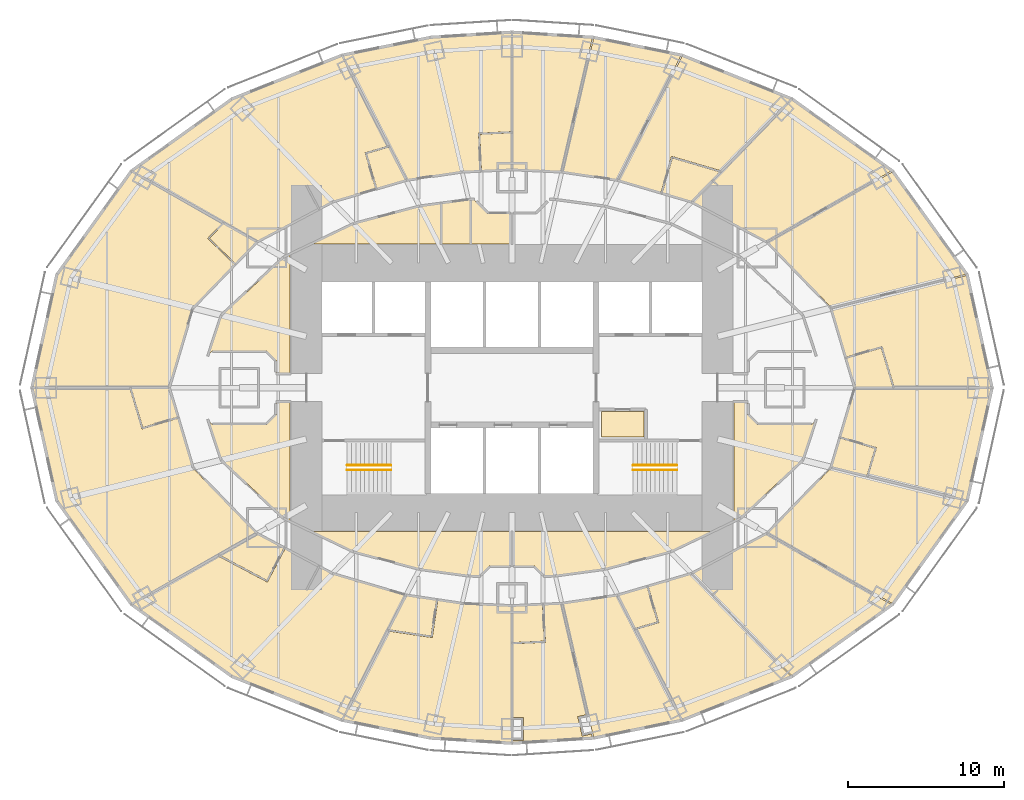
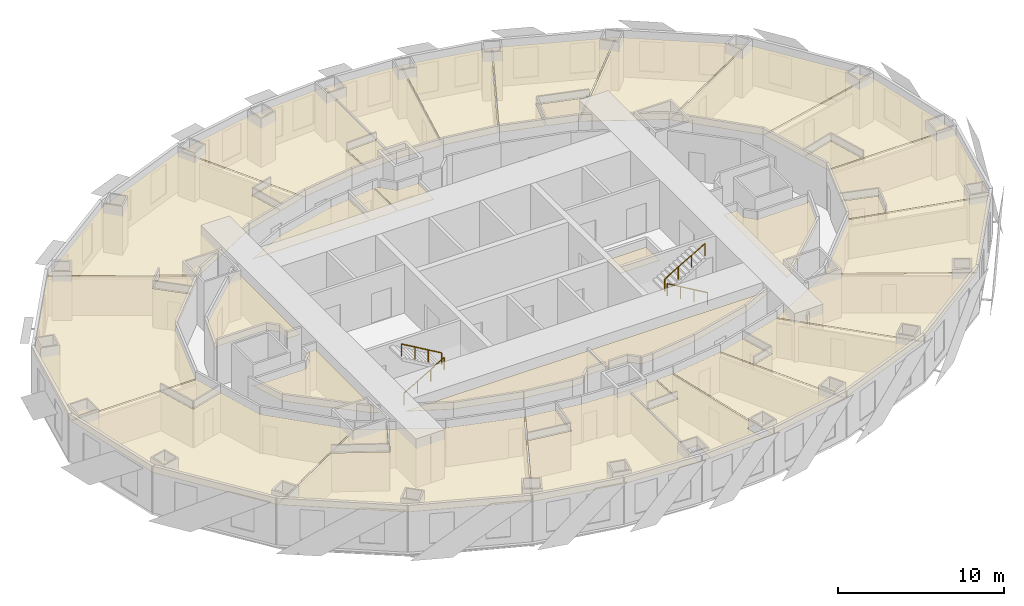
# One storey, part 15 of 15: 38 coverings, 4 railings.
"""IFC4 building model written with IfcOpenShell, lengths in metres."""

from ifc_helpers import new_model, si_unit, direction, frame, origin, origin_2d, place, context, subcontext, project, spatial, polyline, circle, outline, extrude, material, layer, layer_set, type_object, element, save


model = new_model("IFC4")

# Units and contexts
model_context = context("Model", 3, precision=1e-05, world=origin(), true_north=direction((0.0, 1.0)))
body_context = subcontext(model_context, "Body", "Model", "MODEL_VIEW")
ifc_project = project(units=[si_unit("LENGTHUNIT", "METRE"), si_unit("AREAUNIT", "SQUARE_METRE"), si_unit("VOLUMEUNIT", "CUBIC_METRE"), si_unit("PLANEANGLEUNIT", "RADIAN"), si_unit("MASSUNIT", "GRAM", prefix="KILO")], contexts=[model_context])

# Site, building, storey
site_placement = place(None, origin())
site = spatial("IfcSite", under=ifc_project, at=site_placement, CompositionType="ELEMENT")
building_placement = place(site_placement, origin())
building = spatial("IfcBuilding", under=site, at=building_placement, Name="Lantaw Convention Tower", CompositionType="ELEMENT")
storey_placement = place(building_placement, frame((0.0, 0.0, 80.199951171875)))
storey = spatial("IfcBuildingStorey", under=building, at=storey_placement, Name="L18", CompositionType="ELEMENT", Elevation=80.199951171875)

# Railings
ifc_material_1 = material(Name="Stainless steel", Category="steel")
railing_type = type_object("IfcRailingType", Name="Stair handrail", PredefinedType="HANDRAIL", material=ifc_material_1)
railing_1_placement = place(storey_placement, frame((-10.580078125, -5.280029296875, 0.16357421875)))
element("IfcRailing", 1, at=railing_1_placement, inside=storey, type_object=railing_type, Name="Stair handrail S1", PredefinedType="HANDRAIL", context=body_context, shape_type="SweptSolid", body=[
    extrude(circle(Radius=0.02392578125, at=origin_2d()), frame((0.0, 0.0, 0.8759765625), z_axis=(0.863360870873, 0.0, 0.504586966384), x_axis=(0.0, 1.0, 0.0)), (0.0, 0.0, 1.0), 3.2431640625),
    extrude(circle(Radius=0.02099609375, at=origin_2d()), origin(), (0.0, 0.0, 1.0), 0.851806640625),
    extrude(circle(Radius=0.02099609375, at=origin_2d()), frame((0.933349609375, 0.0, 0.54541015625)), (0.0, 0.0, 1.0), 0.851806640625),
    extrude(circle(Radius=0.02099609375, at=origin_2d()), frame((1.86669921875, 0.0, 1.091064453125)), (0.0, 0.0, 1.0), 0.851806640625),
    extrude(circle(Radius=0.02099609375, at=origin_2d()), frame((2.800048828125, 0.0, 1.636474609375)), (0.0, 0.0, 1.0), 0.851806640625),
])
for number, where, name in (
    (2, (-7.780029296875, -4.97998046875, 1.963623046875), "Stair handrail S1"),
    (3, (10.580078125, -5.280029296875, 0.16357421875), "Stair handrail S2"),
):
    element("IfcRailing", number, at=place(storey_placement, frame(where)), inside=storey, type_object=railing_type, Name=name, PredefinedType="HANDRAIL", context=body_context, shape_type="SweptSolid", body=[
        extrude(circle(Radius=0.02392578125, at=origin_2d()), frame((0.0, 0.0, 0.8759765625), z_axis=(-0.863360870873, 0.0, 0.504586966384), x_axis=(0.0, -1.0, 0.0)), (0.0, 0.0, 1.0), 3.2431640625),
        extrude(circle(Radius=0.02099609375, at=origin_2d()), origin(), (0.0, 0.0, 1.0), 0.851806640625),
        extrude(circle(Radius=0.02099609375, at=origin_2d()), frame((-0.933349609375, 0.0, 0.54541015625)), (0.0, 0.0, 1.0), 0.851806640625),
        extrude(circle(Radius=0.02099609375, at=origin_2d()), frame((-1.86669921875, 0.0, 1.091064453125)), (0.0, 0.0, 1.0), 0.851806640625),
        extrude(circle(Radius=0.02099609375, at=origin_2d()), frame((-2.800048828125, 0.0, 1.636474609375)), (0.0, 0.0, 1.0), 0.851806640625),
    ])
railing_2_placement = place(storey_placement, frame((7.780029296875, -4.97998046875, 1.963623046875)))
element("IfcRailing", 4, at=railing_2_placement, inside=storey, type_object=railing_type, Name="Stair handrail S2", PredefinedType="HANDRAIL", context=body_context, shape_type="SweptSolid", body=[
    extrude(circle(Radius=0.02392578125, at=origin_2d()), frame((0.0, 0.0, 0.8759765625), z_axis=(0.863360870873, 0.0, 0.504586966384), x_axis=(0.0, 1.0, 0.0)), (0.0, 0.0, 1.0), 3.2431640625),
    extrude(circle(Radius=0.02099609375, at=origin_2d()), origin(), (0.0, 0.0, 1.0), 0.851806640625),
    extrude(circle(Radius=0.02099609375, at=origin_2d()), frame((0.933349609375, 0.0, 0.54541015625)), (0.0, 0.0, 1.0), 0.851806640625),
    extrude(circle(Radius=0.02099609375, at=origin_2d()), frame((1.86669921875, 0.0, 1.091064453125)), (0.0, 0.0, 1.0), 0.851806640625),
    extrude(circle(Radius=0.02099609375, at=origin_2d()), frame((2.800048828125, 0.0, 1.636474609375)), (0.0, 0.0, 1.0), 0.851806640625),
])

# Coverings
ifc_material_2 = material(Name="Gypsum board on steel suspension grid", Category="steel")
ifc_layer = layer(ifc_material_2, 0.02001953125)
ifc_layer_set = layer_set([ifc_layer], Name="Suspended ceiling")
covering_type = type_object("IfcCoveringType", Name="Suspended ceiling", PredefinedType="CEILING", material=ifc_layer_set)
covering_1_placement = place(storey_placement, frame((0.0, 0.0, 2.85009765625)))
element("IfcCovering", 5, at=covering_1_placement, inside=storey, type_object=covering_type, Name="Staff WC ceiling", PredefinedType="CEILING", context=body_context, shape_type="SweptSolid", body=[
    extrude(outline(polyline([(5.739990234375, -3.159912109375), (8.4599609375, -3.159912109375), (8.4599609375, -1.5400390625), (5.739990234375, -1.5400390625), (5.739990234375, -3.159912109375)])), origin(), (0.0, 0.0, 1.0), 0.02001953125),
])
covering_2_placement = place(storey_placement, frame((0.0, 0.0, 2.85009765625)))
element("IfcCovering", 6, at=covering_2_placement, inside=storey, type_object=covering_type, Name="Housekeeping room ceiling", PredefinedType="CEILING", context=body_context, shape_type="SweptSolid", body=[
    extrude(outline(polyline([(-14.239990234375, 8.5478515625), (-14.650390625, 8.351318359375), (-18.63671875, 4.633056640625), (-19.449951171875, 2.15625), (-19.2412109375, 2.364990234375), (-15.7587890625, 2.364990234375), (-15.135009765625, 1.7412109375), (-15.135009765625, 0.93994140625), (-14.239990234375, 0.93994140625), (-14.239990234375, 8.5478515625)])), origin(), (0.0, 0.0, 1.0), 0.02001953125),
])
covering_3_placement = place(storey_placement, frame((0.0, 0.0, 2.85009765625)))
element("IfcCovering", 7, at=covering_3_placement, inside=storey, type_object=covering_type, Name="Accessible WC ceiling", PredefinedType="CEILING", context=body_context, shape_type="SweptSolid", body=[
    extrude(outline(polyline([(-2.610107421875, 9.239990234375), (-0.114990234375, 9.239990234375), (-0.114990234375, 11.175048828125), (-1.548828125, 11.175048828125), (-2.324951171875, 11.951171875), (-2.324951171875, 11.963134765625), (-2.4208984375, 12.05859375), (-2.610107421875, 12.050537109375), (-2.610107421875, 9.239990234375)])), origin(), (0.0, 0.0, 1.0), 0.02001953125),
])
covering_4_placement = place(storey_placement, frame((0.0, 0.0, 2.85009765625)))
element("IfcCovering", 8, at=covering_4_placement, inside=storey, type_object=covering_type, Name="Staff WC ceiling", PredefinedType="CEILING", context=body_context, shape_type="SweptSolid", body=[
    extrude(outline(polyline([(-2.68994140625, 12.04736328125), (-2.7861328125, 12.043212890625), (-4.510009765625, 11.81201171875), (-4.510009765625, 9.239990234375), (-2.68994140625, 9.239990234375), (-2.68994140625, 12.04736328125)])), origin(), (0.0, 0.0, 1.0), 0.02001953125),
])
covering_5_placement = place(storey_placement, frame((0.0, 0.0, 2.85009765625)))
element("IfcCovering", 9, at=covering_5_placement, inside=storey, type_object=covering_type, Name="Housekeeping room ceiling", PredefinedType="CEILING", context=body_context, shape_type="SweptSolid", body=[
    extrude(outline(polyline([(-12.795166015625, 9.239990234375), (-4.60009765625, 9.239990234375), (-4.60009765625, 11.7998046875), (-5.933349609375, 11.62109375), (-10.1630859375, 10.500732421875), (-12.795166015625, 9.239990234375)])), origin(), (0.0, 0.0, 1.0), 0.02001953125),
])
covering_6_placement = place(storey_placement, frame((0.0, 0.0, 2.85009765625)))
element("IfcCovering", 10, at=covering_6_placement, inside=storey, type_object=covering_type, Name="Staff room ceiling", PredefinedType="CEILING", context=body_context, shape_type="SweptSolid", body=[
    extrude(outline(polyline([(-14.239990234375, -0.93994140625), (-15.135009765625, -0.93994140625), (-15.135009765625, -1.7412109375), (-15.7587890625, -2.364990234375), (-19.2412109375, -2.364990234375), (-19.449951171875, -2.15625), (-18.63671875, -4.633056640625), (-14.650390625, -8.351318359375), (-14.239990234375, -8.5478515625), (-14.239990234375, -0.93994140625)])), origin(), (0.0, 0.0, 1.0), 0.02001953125),
])
covering_7_placement = place(storey_placement, frame((0.0, 0.0, 2.85009765625)))
element("IfcCovering", 11, at=covering_7_placement, inside=storey, type_object=covering_type, Name="Staff room ceiling", PredefinedType="CEILING", context=body_context, shape_type="SweptSolid", body=[
    extrude(outline(polyline([(-5.933349609375, -11.62109375), (-2.7861328125, -12.043212890625), (-2.06494140625, -12.073486328125), (-2.06494140625, -12.058837890625), (-1.441162109375, -11.43505859375), (-0.0400390625, -11.43505859375), (-0.0400390625, -9.239990234375), (-12.795166015625, -9.239990234375), (-10.1630859375, -10.500732421875), (-5.933349609375, -11.62109375)])), origin(), (0.0, 0.0, 1.0), 0.02001953125),
])
covering_8_placement = place(storey_placement, frame((0.0, 0.0, 2.85009765625)))
element("IfcCovering", 12, at=covering_8_placement, inside=storey, type_object=covering_type, Name="Room service pantry ceiling", PredefinedType="CEILING", context=body_context, shape_type="SweptSolid", body=[
    extrude(outline(polyline([(14.239990234375, -8.5478515625), (14.650390625, -8.351318359375), (18.63671875, -4.633056640625), (19.449951171875, -2.15625), (19.2412109375, -2.364990234375), (15.7587890625, -2.364990234375), (15.135009765625, -1.7412109375), (15.135009765625, -0.93994140625), (14.239990234375, -0.93994140625), (14.239990234375, -8.5478515625)])), origin(), (0.0, 0.0, 1.0), 0.02001953125),
])
covering_9_placement = place(storey_placement, frame((0.0, 0.0, 2.85009765625)))
element("IfcCovering", 13, at=covering_9_placement, inside=storey, type_object=covering_type, Name="Room service pantry ceiling", PredefinedType="CEILING", context=body_context, shape_type="SweptSolid", body=[
    extrude(outline(polyline([(2.06494140625, -12.073486328125), (2.7861328125, -12.043212890625), (5.933349609375, -11.62109375), (10.1630859375, -10.500732421875), (12.795166015625, -9.239990234375), (0.0400390625, -9.239990234375), (0.0400390625, -11.43505859375), (1.441162109375, -11.43505859375), (2.06494140625, -12.058837890625), (2.06494140625, -12.073486328125)])), origin(), (0.0, 0.0, 1.0), 0.02001953125),
])
covering_10_placement = place(storey_placement, frame((0.0, 0.0, 2.85009765625)))
element("IfcCovering", 14, at=covering_10_placement, inside=storey, type_object=covering_type, Name="Suite bathroom ceiling", PredefinedType="CEILING", context=body_context, shape_type="SweptSolid", body=[
    extrude(outline(polyline([(22.02978515625, 0.0400390625), (24.449951171875, 0.0400390625), (23.70458984375, 2.550537109375), (21.48046875, 1.890380859375), (22.02978515625, 0.0400390625)])), origin(), (0.0, 0.0, 1.0), 0.02001953125),
])
covering_11_placement = place(storey_placement, frame((0.0, 0.0, 2.85009765625)))
element("IfcCovering", 15, at=covering_11_placement, inside=storey, type_object=covering_type, Name="Suite bedroom ceiling", PredefinedType="CEILING", context=body_context, shape_type="SweptSolid", body=[
    extrude(outline(polyline([(20.5341796875, 5.078369140625), (21.457763671875, 1.967041015625), (23.758544921875, 2.650146484375), (24.533447265625, 0.0400390625), (30.77099609375, 0.0400390625), (29.191650390625, 7.205078125), (20.5341796875, 5.078369140625)])), origin(), (0.0, 0.0, 1.0), 0.02001953125),
])
covering_12_placement = place(storey_placement, frame((0.0, 0.0, 2.85009765625)))
element("IfcCovering", 16, at=covering_12_placement, inside=storey, type_object=covering_type, Name="Suite living room ceiling", PredefinedType="CEILING", context=body_context, shape_type="SweptSolid", body=[
    extrude(outline(polyline([(20.49658203125, 5.151611328125), (29.155029296875, 7.2783203125), (24.423095703125, 13.8564453125), (16.433837890625, 9.344482421875), (20.49658203125, 5.151611328125)])), origin(), (0.0, 0.0, 1.0), 0.02001953125),
])
covering_13_placement = place(storey_placement, frame((0.0, 0.0, 2.85009765625)))
element("IfcCovering", 17, at=covering_13_placement, inside=storey, type_object=covering_type, Name="Suite kitchenette and dining room ceiling", PredefinedType="CEILING", context=body_context, shape_type="SweptSolid", body=[
    extrude(outline(polyline([(16.368408203125, 9.3994140625), (24.3603515625, 13.912841796875), (17.97509765625, 18.4892578125), (11.58447265625, 11.93798828125), (16.368408203125, 9.3994140625)])), origin(), (0.0, 0.0, 1.0), 0.02001953125),
])
covering_14_placement = place(storey_placement, frame((0.0, 0.0, 2.85009765625)))
element("IfcCovering", 18, at=covering_14_placement, inside=storey, type_object=covering_type, Name="Suite bathroom ceiling", PredefinedType="CEILING", context=body_context, shape_type="SweptSolid", body=[
    extrude(outline(polyline([(11.506591796875, 11.972900390625), (13.32568359375, 13.856689453125), (10.302734375, 14.744384765625), (9.649169921875, 12.518310546875), (11.506591796875, 11.972900390625)])), origin(), (0.0, 0.0, 1.0), 0.02001953125),
])
covering_15_placement = place(storey_placement, frame((0.0, 0.0, 2.85009765625)))
element("IfcCovering", 19, at=covering_15_placement, inside=storey, type_object=covering_type, Name="Suite bedroom ceiling", PredefinedType="CEILING", context=body_context, shape_type="SweptSolid", body=[
    extrude(outline(polyline([(10.930908203125, 21.294921875), (6.84326171875, 13.34228515625), (9.560791015625, 12.544189453125), (10.240478515625, 14.858642578125), (13.412841796875, 13.927001953125), (17.89990234375, 18.526611328125), (10.930908203125, 21.294921875)])), origin(), (0.0, 0.0, 1.0), 0.02001953125),
])
covering_16_placement = place(storey_placement, frame((0.0, 0.0, 2.85009765625)))
element("IfcCovering", 20, at=covering_16_placement, inside=storey, type_object=covering_type, Name="Suite living room ceiling", PredefinedType="CEILING", context=body_context, shape_type="SweptSolid", body=[
    extrude(outline(polyline([(6.76318359375, 13.361328125), (10.852294921875, 21.31689453125), (5.240966796875, 22.448974609375), (3.24658203125, 13.884521484375), (6.76318359375, 13.361328125)])), origin(), (0.0, 0.0, 1.0), 0.02001953125),
])
covering_17_placement = place(storey_placement, frame((0.0, 0.0, 2.85009765625)))
element("IfcCovering", 21, at=covering_17_placement, inside=storey, type_object=covering_type, Name="Suite kitchenette and dining room ceiling", PredefinedType="CEILING", context=body_context, shape_type="SweptSolid", body=[
    extrude(outline(polyline([(3.16650390625, 13.892822265625), (5.1611328125, 22.458984375), (0.0400390625, 22.781982421875), (0.0400390625, 14.0380859375), (3.16650390625, 13.892822265625)])), origin(), (0.0, 0.0, 1.0), 0.02001953125),
])
covering_18_placement = place(storey_placement, frame((0.0, 0.0, 2.85009765625)))
element("IfcCovering", 22, at=covering_18_placement, inside=storey, type_object=covering_type, Name="Junior suite bathroom ceiling", PredefinedType="CEILING", context=body_context, shape_type="SweptSolid", body=[
    extrude(outline(polyline([(-0.0400390625, 14.0380859375), (-0.0400390625, 16.360595703125), (-2.0673828125, 16.266357421875), (-1.959716796875, 13.948974609375), (-0.0400390625, 14.0380859375)])), origin(), (0.0, 0.0, 1.0), 0.02001953125),
])
covering_19_placement = place(storey_placement, frame((0.0, 0.0, 2.85009765625)))
element("IfcCovering", 23, at=covering_19_placement, inside=storey, type_object=covering_type, Name="Junior suite ceiling", PredefinedType="CEILING", context=body_context, shape_type="SweptSolid", body=[
    extrude(outline(polyline([(-3.20166015625, 13.89111328125), (-2.03955078125, 13.9453125), (-2.151123046875, 16.342529296875), (-0.0400390625, 16.440673828125), (-0.0400390625, 22.781982421875), (-5.20556640625, 22.456298828125), (-10.852294921875, 21.31689453125), (-6.76318359375, 13.361328125), (-3.20166015625, 13.89111328125)])), origin(), (0.0, 0.0, 1.0), 0.02001953125),
])
covering_20_placement = place(storey_placement, frame((0.0, 0.0, 2.85009765625)))
element("IfcCovering", 24, at=covering_20_placement, inside=storey, type_object=covering_type, Name="Junior suite bathroom ceiling", PredefinedType="CEILING", context=body_context, shape_type="SweptSolid", body=[
    extrude(outline(polyline([(-6.843017578125, 13.34228515625), (-7.914794921875, 15.445556640625), (-9.3310546875, 15.02978515625), (-8.677490234375, 12.8037109375), (-6.843017578125, 13.34228515625)])), origin(), (0.0, 0.0, 1.0), 0.02001953125),
])
covering_21_placement = place(storey_placement, frame((0.0, 0.0, 2.85009765625)))
element("IfcCovering", 25, at=covering_21_placement, inside=storey, type_object=covering_type, Name="Junior suite ceiling", PredefinedType="CEILING", context=body_context, shape_type="SweptSolid", body=[
    extrude(outline(polyline([(-11.53369140625, 11.965087890625), (-8.754150390625, 12.781005859375), (-9.430419921875, 15.083984375), (-7.96044921875, 15.515625), (-10.930908203125, 21.294921875), (-17.951171875, 18.50634765625), (-24.3603515625, 13.912841796875), (-16.368408203125, 9.3994140625), (-11.53369140625, 11.965087890625)])), origin(), (0.0, 0.0, 1.0), 0.02001953125),
])
covering_22_placement = place(storey_placement, frame((0.0, 0.0, 2.85009765625)))
element("IfcCovering", 26, at=covering_22_placement, inside=storey, type_object=covering_type, Name="Junior suite bathroom ceiling", PredefinedType="CEILING", context=body_context, shape_type="SweptSolid", body=[
    extrude(outline(polyline([(-16.43359375, 9.344482421875), (-18.512939453125, 10.53271484375), (-19.427734375, 9.58837890625), (-17.76171875, 7.97412109375), (-16.43359375, 9.344482421875)])), origin(), (0.0, 0.0, 1.0), 0.02001953125),
])
covering_23_placement = place(storey_placement, frame((0.0, 0.0, 2.85009765625)))
element("IfcCovering", 27, at=covering_23_placement, inside=storey, type_object=covering_type, Name="Junior suite ceiling", PredefinedType="CEILING", context=body_context, shape_type="SweptSolid", body=[
    extrude(outline(polyline([(-20.51953125, 5.1279296875), (-17.8173828125, 7.91650390625), (-19.541015625, 9.586669921875), (-18.59375, 10.564208984375), (-24.423095703125, 13.8564453125), (-29.184814453125, 7.237060546875), (-30.77099609375, 0.0400390625), (-22.02978515625, 0.0400390625), (-20.51953125, 5.1279296875)])), origin(), (0.0, 0.0, 1.0), 0.02001953125),
])
covering_24_placement = place(storey_placement, frame((0.0, 0.0, 2.85009765625)))
element("IfcCovering", 28, at=covering_24_placement, inside=storey, type_object=covering_type, Name="Junior suite bathroom ceiling", PredefinedType="CEILING", context=body_context, shape_type="SweptSolid", body=[
    extrude(outline(polyline([(-22.02978515625, -0.0400390625), (-24.449951171875, -0.0400390625), (-23.70458984375, -2.550537109375), (-21.48046875, -1.890380859375), (-22.02978515625, -0.0400390625)])), origin(), (0.0, 0.0, 1.0), 0.02001953125),
])
covering_25_placement = place(storey_placement, frame((0.0, 0.0, 2.85009765625)))
element("IfcCovering", 29, at=covering_25_placement, inside=storey, type_object=covering_type, Name="Junior suite ceiling", PredefinedType="CEILING", context=body_context, shape_type="SweptSolid", body=[
    extrude(outline(polyline([(-21.457763671875, -1.967041015625), (-23.758544921875, -2.650146484375), (-24.533447265625, -0.0400390625), (-30.77099609375, -0.0400390625), (-29.184814453125, -7.237060546875), (-24.423095703125, -13.8564453125), (-16.433837890625, -9.344482421875), (-20.51953125, -5.1279296875), (-21.457763671875, -1.967041015625)])), origin(), (0.0, 0.0, 1.0), 0.02001953125),
])
covering_26_placement = place(storey_placement, frame((0.0, 0.0, 2.85009765625)))
element("IfcCovering", 30, at=covering_26_placement, inside=storey, type_object=covering_type, Name="Junior suite bathroom ceiling", PredefinedType="CEILING", context=body_context, shape_type="SweptSolid", body=[
    extrude(outline(polyline([(-16.368408203125, -9.3994140625), (-18.75146484375, -10.76123046875), (-15.743896484375, -12.357177734375), (-14.656494140625, -10.307861328125), (-16.368408203125, -9.3994140625)])), origin(), (0.0, 0.0, 1.0), 0.02001953125),
])
covering_27_placement = place(storey_placement, frame((0.0, 0.0, 2.85009765625)))
element("IfcCovering", 31, at=covering_27_placement, inside=storey, type_object=covering_type, Name="Junior suite ceiling", PredefinedType="CEILING", context=body_context, shape_type="SweptSolid", body=[
    extrude(outline(polyline([(-18.861328125, -10.80712890625), (-24.3603515625, -13.912841796875), (-17.951171875, -18.50634765625), (-10.930908203125, -21.294921875), (-6.84326171875, -13.34228515625), (-11.53369140625, -11.965087890625), (-14.5751953125, -10.35107421875), (-15.705810546875, -12.4814453125), (-18.861328125, -10.80712890625)])), origin(), (0.0, 0.0, 1.0), 0.02001953125),
])
covering_28_placement = place(storey_placement, frame((0.0, 0.0, 2.85009765625)))
element("IfcCovering", 32, at=covering_28_placement, inside=storey, type_object=covering_type, Name="Junior suite bathroom ceiling", PredefinedType="CEILING", context=body_context, shape_type="SweptSolid", body=[
    extrude(outline(polyline([(-6.762939453125, -13.361328125), (-7.873779296875, -15.54150390625), (-5.1943359375, -15.940185546875), (-4.852783203125, -13.6455078125), (-6.762939453125, -13.361328125)])), origin(), (0.0, 0.0, 1.0), 0.02001953125),
])
covering_29_placement = place(storey_placement, frame((0.0, 0.0, 2.85009765625)))
element("IfcCovering", 33, at=covering_29_placement, inside=storey, type_object=covering_type, Name="Junior suite ceiling", PredefinedType="CEILING", context=body_context, shape_type="SweptSolid", body=[
    extrude(outline(polyline([(-3.20166015625, -13.89111328125), (-4.76171875, -13.658935546875), (-5.11669921875, -16.044677734375), (-7.927490234375, -15.62646484375), (-10.852294921875, -21.31689453125), (-5.20556640625, -22.456298828125), (-0.0400390625, -22.781982421875), (-0.0400390625, -14.0380859375), (-3.20166015625, -13.89111328125)])), origin(), (0.0, 0.0, 1.0), 0.02001953125),
])
covering_30_placement = place(storey_placement, frame((0.0, 0.0, 2.85009765625)))
element("IfcCovering", 34, at=covering_30_placement, inside=storey, type_object=covering_type, Name="Suite bathroom ceiling", PredefinedType="CEILING", context=body_context, shape_type="SweptSolid", body=[
    extrude(outline(polyline([(0.0400390625, -14.0380859375), (0.0400390625, -16.360595703125), (2.0673828125, -16.266357421875), (1.959716796875, -13.948974609375), (0.0400390625, -14.0380859375)])), origin(), (0.0, 0.0, 1.0), 0.02001953125),
])
covering_31_placement = place(storey_placement, frame((0.0, 0.0, 2.85009765625)))
element("IfcCovering", 35, at=covering_31_placement, inside=storey, type_object=covering_type, Name="Suite bedroom ceiling", PredefinedType="CEILING", context=body_context, shape_type="SweptSolid", body=[
    extrude(outline(polyline([(2.03955078125, -13.9453125), (2.151123046875, -16.342529296875), (0.0400390625, -16.440673828125), (0.0400390625, -21.159912109375), (0.739990234375, -21.159912109375), (0.739990234375, -22.639892578125), (0.0400390625, -22.639892578125), (0.0400390625, -22.781982421875), (5.1611328125, -22.458984375), (5.107177734375, -22.22705078125), (4.506591796875, -22.365478515625), (4.21875, -21.118408203125), (4.81689453125, -20.980224609375), (3.16650390625, -13.892822265625), (2.03955078125, -13.9453125)])), origin(), (0.0, 0.0, 1.0), 0.02001953125),
])
covering_32_placement = place(storey_placement, frame((0.0, 0.0, 2.85009765625)))
element("IfcCovering", 36, at=covering_32_placement, inside=storey, type_object=covering_type, Name="Suite living room ceiling", PredefinedType="CEILING", context=body_context, shape_type="SweptSolid", body=[
    extrude(outline(polyline([(3.24658203125, -13.884521484375), (5.240966796875, -22.448974609375), (10.852294921875, -21.31689453125), (6.76318359375, -13.361328125), (3.24658203125, -13.884521484375)])), origin(), (0.0, 0.0, 1.0), 0.02001953125),
])
covering_33_placement = place(storey_placement, frame((0.0, 0.0, 2.85009765625)))
element("IfcCovering", 37, at=covering_33_placement, inside=storey, type_object=covering_type, Name="Suite bathroom ceiling", PredefinedType="CEILING", context=body_context, shape_type="SweptSolid", body=[
    extrude(outline(polyline([(6.843017578125, -13.34228515625), (7.914794921875, -15.445556640625), (9.3310546875, -15.02978515625), (8.677490234375, -12.8037109375), (6.843017578125, -13.34228515625)])), origin(), (0.0, 0.0, 1.0), 0.02001953125),
])
covering_34_placement = place(storey_placement, frame((0.0, 0.0, 2.85009765625)))
element("IfcCovering", 38, at=covering_34_placement, inside=storey, type_object=covering_type, Name="Suite bedroom ceiling", PredefinedType="CEILING", context=body_context, shape_type="SweptSolid", body=[
    extrude(outline(polyline([(11.506591796875, -11.972900390625), (8.754150390625, -12.781005859375), (9.430419921875, -15.083984375), (7.96044921875, -15.515625), (10.930908203125, -21.294921875), (17.89990234375, -18.526611328125), (11.506591796875, -11.972900390625)])), origin(), (0.0, 0.0, 1.0), 0.02001953125),
])
covering_35_placement = place(storey_placement, frame((0.0, 0.0, 2.85009765625)))
element("IfcCovering", 39, at=covering_35_placement, inside=storey, type_object=covering_type, Name="Suite living room ceiling", PredefinedType="CEILING", context=body_context, shape_type="SweptSolid", body=[
    extrude(outline(polyline([(11.58447265625, -11.93798828125), (17.97509765625, -18.4892578125), (24.3603515625, -13.912841796875), (16.368408203125, -9.3994140625), (11.58447265625, -11.93798828125)])), origin(), (0.0, 0.0, 1.0), 0.02001953125),
])
covering_36_placement = place(storey_placement, frame((0.0, 0.0, 2.85009765625)))
element("IfcCovering", 40, at=covering_36_placement, inside=storey, type_object=covering_type, Name="Suite kitchenette and dining room ceiling", PredefinedType="CEILING", context=body_context, shape_type="SweptSolid", body=[
    extrude(outline(polyline([(16.433837890625, -9.344482421875), (24.423095703125, -13.8564453125), (29.155029296875, -7.2783203125), (20.49658203125, -5.151611328125), (16.433837890625, -9.344482421875)])), origin(), (0.0, 0.0, 1.0), 0.02001953125),
])
covering_37_placement = place(storey_placement, frame((0.0, 0.0, 2.85009765625)))
element("IfcCovering", 41, at=covering_37_placement, inside=storey, type_object=covering_type, Name="Guest bathroom ceiling", PredefinedType="CEILING", context=body_context, shape_type="SweptSolid", body=[
    extrude(outline(polyline([(20.5341796875, -5.07861328125), (22.787353515625, -5.640380859375), (23.30419921875, -3.89990234375), (21.080078125, -3.23974609375), (20.5341796875, -5.07861328125)])), origin(), (0.0, 0.0, 1.0), 0.02001953125),
])
covering_38_placement = place(storey_placement, frame((0.0, 0.0, 2.85009765625)))
element("IfcCovering", 42, at=covering_38_placement, inside=storey, type_object=covering_type, Name="Guest room ceiling", PredefinedType="CEILING", context=body_context, shape_type="SweptSolid", body=[
    extrude(outline(polyline([(22.02978515625, -0.0400390625), (21.102783203125, -3.162841796875), (23.403564453125, -3.845947265625), (22.867431640625, -5.651611328125), (29.191650390625, -7.205078125), (30.77099609375, -0.0400390625), (22.02978515625, -0.0400390625)])), origin(), (0.0, 0.0, 1.0), 0.02001953125),
])

save(model, "model.ifc")
